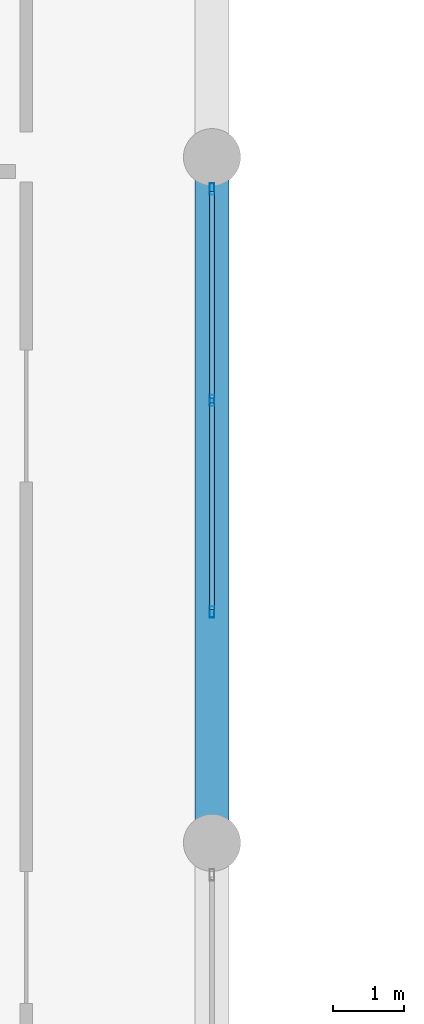
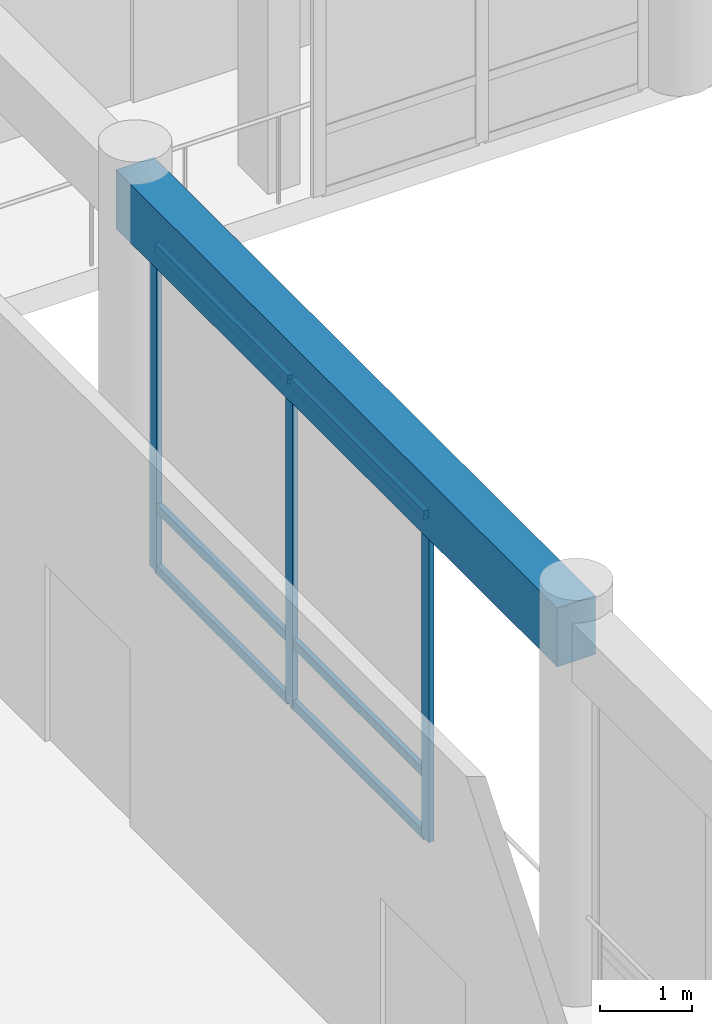
# One storey, part 38 of 134: 9 members, 1 beam, 1 element without a shape of its own.
"""IFC4 building model written with IfcOpenShell, lengths in metres."""

from ifc_helpers import new_model, si_unit, direction, frame, origin, origin_2d, place, context, subcontext, project, spatial, rectangle, hollow_rectangle, extrude, material, layer, layer_set, material_profile, profile_set, type_object, element, aggregate, save


model = new_model("IFC4")

# Units and contexts
model_context = context("Model", 3, precision=1e-05, world=origin(), true_north=direction((0.0, 1.0)))
body_context = subcontext(model_context, "Body", "Model", "MODEL_VIEW")
ifc_project = project(units=[si_unit("LENGTHUNIT", "METRE"), si_unit("AREAUNIT", "SQUARE_METRE"), si_unit("VOLUMEUNIT", "CUBIC_METRE"), si_unit("PLANEANGLEUNIT", "RADIAN"), si_unit("MASSUNIT", "GRAM", prefix="KILO")], contexts=[model_context])

# Site, building, storey
site_placement = place(None, origin())
site = spatial("IfcSite", under=ifc_project, at=site_placement, CompositionType="ELEMENT")
building_placement = place(site_placement, origin())
building = spatial("IfcBuilding", under=site, at=building_placement, Name="Nakhvara Creek Congress Hotel", CompositionType="ELEMENT")
storey_placement = place(building_placement, frame((0.0, 0.0, 6.0)))
storey = spatial("IfcBuildingStorey", under=building, at=storey_placement, Name="L01", CompositionType="ELEMENT", Elevation=6.0)

# Beam
ifc_material_1 = material(Name="Concrete C40/50", Category="concrete")
ifc_material_profile_1 = material_profile(ifc_material_1, rectangle(XDim=0.47998046875, YDim=0.780029296875, at=origin_2d()), Name="RC-BM 480x780", Category="LoadBearing")
ifc_profile_set_1 = profile_set([ifc_material_profile_1], Name="Concrete C40/50")
beam_type = type_object("IfcBeamType", Name="BM-RC-480X780", PredefinedType="BEAM", material=ifc_profile_set_1)
beam_placement = place(storey_placement, frame((76.800048828125, 62.39990234375, 4.7099609375), z_axis=(0.0, 1.0, 0.0), x_axis=(-1.0, 0.0, 0.0)))
element("IfcBeam", 1, at=beam_placement, inside=storey, type_object=beam_type, Name="Beam B13-L01-1157", PredefinedType="BEAM", context=body_context, shape_type="SweptSolid", body=[
    extrude(rectangle(XDim=0.47998046875, YDim=0.780029296875, at=origin_2d()), origin(), (0.0, 0.0, 1.0), 9.60009765625),
])

# Curtain wall, members
ifc_material_2 = material(Name="Bronze-anodised aluminium AW-6063-T6 and double-silver low-E glass", Category="aluminium")
ifc_layer = layer(ifc_material_2, 0.199951171875)
ifc_layer_set = layer_set([ifc_layer], Name="Bronze-anodised aluminium AW-6063-T6 and double-silver low-E glass")
curtain_wall_type = type_object("IfcCurtainWallType", Name="CW-POD-STICK", PredefinedType="NOTDEFINED", material=ifc_layer_set)
curtain_wall_placement = place(storey_placement, origin())
curtain_wall = element("IfcCurtainWall", 2, at=curtain_wall_placement, inside=storey, type_object=curtain_wall_type, Name="Curtain Wall CW031", PredefinedType="NOTDEFINED")
ifc_material_3 = material(Name="Bronze-anodised aluminium AW-6063-T6", Category="aluminium")
ifc_material_profile_2 = material_profile(ifc_material_3, hollow_rectangle(XDim=0.06494140625, YDim=0.159912109375, WallThickness=0.00390625, at=origin_2d()), Name="ALU-MULL 65x160x4", Category="LoadBearing")
ifc_profile_set_2 = profile_set([ifc_material_profile_2], Name="Bronze-anodised aluminium AW-6063-T6")
member_type_1 = type_object("IfcMemberType", Name="CW-MULL-160", PredefinedType="MULLION", material=ifc_profile_set_2)
member_1_placement = place(storey_placement, frame((76.800048828125, 71.552490234375, 0.0), z_axis=(0.0, 0.0, 1.0), x_axis=(1.0, 0.0, 0.0)))
member_1 = element("IfcMember", 3, at=member_1_placement, type_object=member_type_1, Name="CW031 mullion 1", PredefinedType="MULLION", context=body_context, shape_type="SweptSolid", body=[
    extrude(hollow_rectangle(XDim=0.06494140625, YDim=0.159912109375, WallThickness=0.00390625, at=origin_2d()), origin(), (0.0, 0.0, 1.0), 4.31201171875),
])
member_2_placement = place(storey_placement, frame((76.800048828125, 68.592529296875, 0.0), z_axis=(0.0, 0.0, 1.0), x_axis=(1.0, 0.0, 0.0)))
member_2 = element("IfcMember", 4, at=member_2_placement, type_object=member_type_1, Name="CW031 mullion 2", PredefinedType="MULLION", context=body_context, shape_type="SweptSolid", body=[
    extrude(hollow_rectangle(XDim=0.06494140625, YDim=0.159912109375, WallThickness=0.00390625, at=origin_2d()), origin(), (0.0, 0.0, 1.0), 4.31201171875),
])
member_3_placement = place(storey_placement, frame((76.800048828125, 65.632568359375, 0.0), z_axis=(0.0, 0.0, 1.0), x_axis=(1.0, 0.0, 0.0)))
member_3 = element("IfcMember", 5, at=member_3_placement, type_object=member_type_1, Name="CW031 mullion 3", PredefinedType="MULLION", context=body_context, shape_type="SweptSolid", body=[
    extrude(hollow_rectangle(XDim=0.06494140625, YDim=0.159912109375, WallThickness=0.00390625, at=origin_2d()), origin(), (0.0, 0.0, 1.0), 4.31201171875),
])
ifc_material_profile_3 = material_profile(ifc_material_3, hollow_rectangle(XDim=0.06494140625, YDim=0.1201171875, WallThickness=0.00390625, at=origin_2d()), Name="ALU-TRAN 65x120x4", Category="LoadBearing")
ifc_profile_set_3 = profile_set([ifc_material_profile_3], Name="Bronze-anodised aluminium AW-6063-T6")
member_type_2 = type_object("IfcMemberType", Name="CW-TRAN-120", PredefinedType="USERDEFINED", material=ifc_profile_set_3)
member_4_placement = place(storey_placement, frame((76.800048828125, 71.52001953125, 0.032470703125), z_axis=(0.0, -1.0, 0.0), x_axis=(1.0, 0.0, 0.0)))
member_4 = element("IfcMember", 6, at=member_4_placement, type_object=member_type_2, Name="CW031 transom 1.1", ObjectType="TRANSOM", PredefinedType="USERDEFINED", context=body_context, shape_type="SweptSolid", body=[
    extrude(hollow_rectangle(XDim=0.06494140625, YDim=0.1201171875, WallThickness=0.00390625, at=origin_2d()), origin(), (0.0, 0.0, 1.0), 2.89501953125),
])
member_5_placement = place(storey_placement, frame((76.800048828125, 71.52001953125, 0.85009765625), z_axis=(0.0, -1.0, 0.0), x_axis=(1.0, 0.0, 0.0)))
member_5 = element("IfcMember", 7, at=member_5_placement, type_object=member_type_2, Name="CW031 transom 1.2", ObjectType="TRANSOM", PredefinedType="USERDEFINED", context=body_context, shape_type="SweptSolid", body=[
    extrude(hollow_rectangle(XDim=0.06494140625, YDim=0.1201171875, WallThickness=0.00390625, at=origin_2d()), origin(), (0.0, 0.0, 1.0), 2.89501953125),
])
member_6_placement = place(storey_placement, frame((76.800048828125, 71.52001953125, 4.279541015625), z_axis=(0.0, -1.0, 0.0), x_axis=(1.0, 0.0, 0.0)))
member_6 = element("IfcMember", 8, at=member_6_placement, type_object=member_type_2, Name="CW031 transom 1.3", ObjectType="TRANSOM", PredefinedType="USERDEFINED", context=body_context, shape_type="SweptSolid", body=[
    extrude(hollow_rectangle(XDim=0.06494140625, YDim=0.1201171875, WallThickness=0.00390625, at=origin_2d()), origin(), (0.0, 0.0, 1.0), 2.89501953125),
])
member_7_placement = place(storey_placement, frame((76.800048828125, 68.56005859375, 0.032470703125), z_axis=(0.0, -1.0, 0.0), x_axis=(1.0, 0.0, 0.0)))
member_7 = element("IfcMember", 9, at=member_7_placement, type_object=member_type_2, Name="CW031 transom 2.1", ObjectType="TRANSOM", PredefinedType="USERDEFINED", context=body_context, shape_type="SweptSolid", body=[
    extrude(hollow_rectangle(XDim=0.06494140625, YDim=0.1201171875, WallThickness=0.00390625, at=origin_2d()), origin(), (0.0, 0.0, 1.0), 2.89501953125),
])
member_8_placement = place(storey_placement, frame((76.800048828125, 68.56005859375, 0.85009765625), z_axis=(0.0, -1.0, 0.0), x_axis=(1.0, 0.0, 0.0)))
member_8 = element("IfcMember", 10, at=member_8_placement, type_object=member_type_2, Name="CW031 transom 2.2", ObjectType="TRANSOM", PredefinedType="USERDEFINED", context=body_context, shape_type="SweptSolid", body=[
    extrude(hollow_rectangle(XDim=0.06494140625, YDim=0.1201171875, WallThickness=0.00390625, at=origin_2d()), origin(), (0.0, 0.0, 1.0), 2.89501953125),
])
member_9_placement = place(storey_placement, frame((76.800048828125, 68.56005859375, 4.279541015625), z_axis=(0.0, -1.0, 0.0), x_axis=(1.0, 0.0, 0.0)))
member_9 = element("IfcMember", 11, at=member_9_placement, type_object=member_type_2, Name="CW031 transom 2.3", ObjectType="TRANSOM", PredefinedType="USERDEFINED", context=body_context, shape_type="SweptSolid", body=[
    extrude(hollow_rectangle(XDim=0.06494140625, YDim=0.1201171875, WallThickness=0.00390625, at=origin_2d()), origin(), (0.0, 0.0, 1.0), 2.89501953125),
])
aggregate(curtain_wall, [member_1, member_2, member_3, member_4, member_5, member_6, member_7, member_8, member_9])

save(model, "model.ifc")
